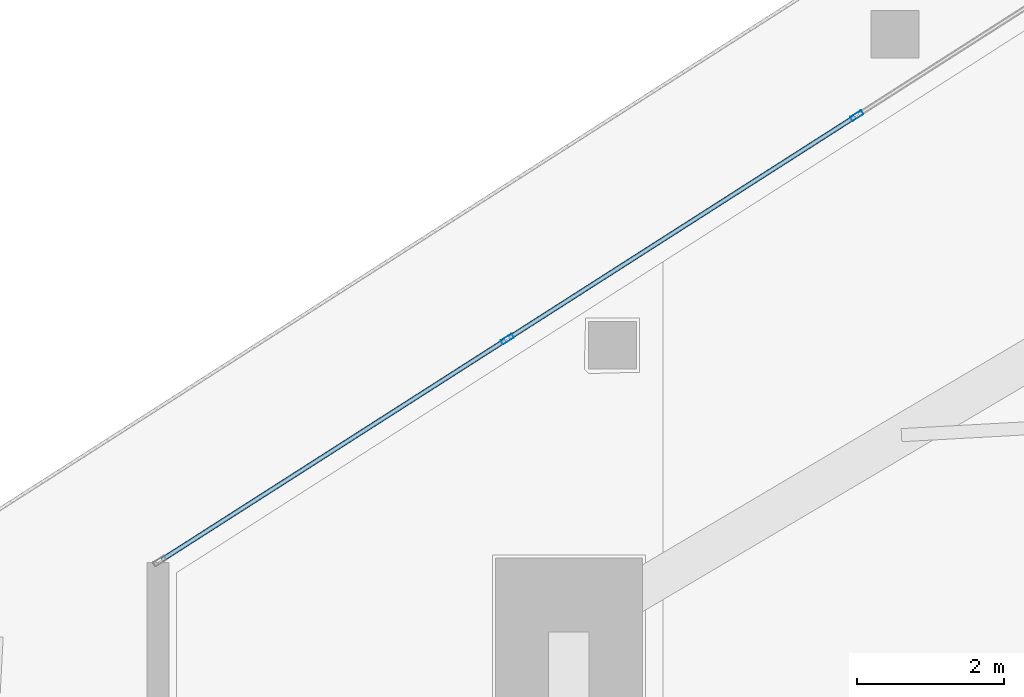
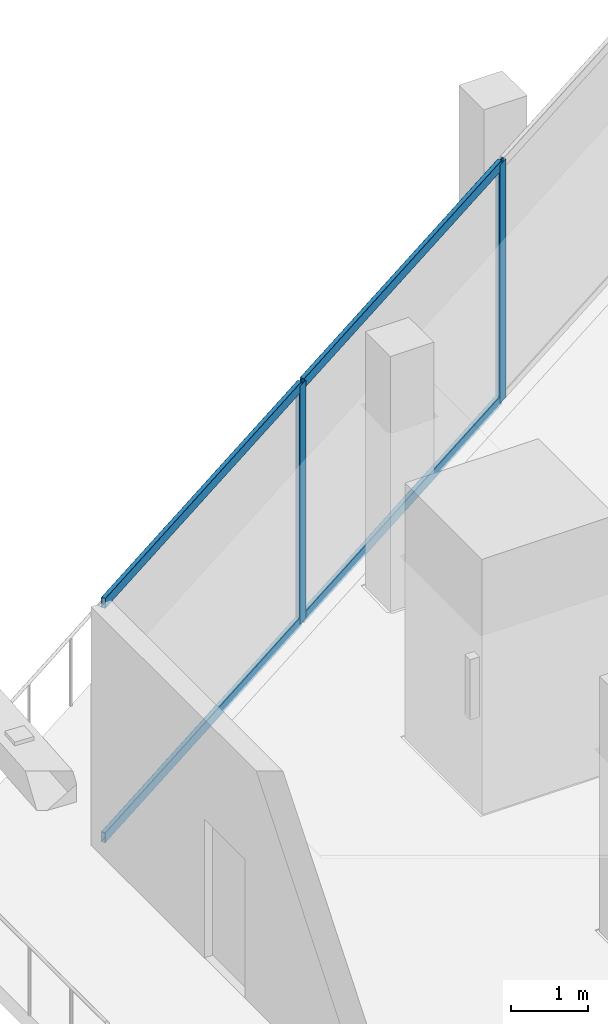
# One storey, part 15 of 36: 6 members, 1 element without a shape of its own.
"""IFC4 building model written with IfcOpenShell, lengths in metres."""

from ifc_helpers import new_model, si_unit, direction, frame, origin, origin_2d, place, context, subcontext, project, spatial, hollow_rectangle, extrude, material, layer, layer_set, material_profile, profile_set, type_object, element, aggregate, save


model = new_model("IFC4")

# Units and contexts
model_context = context("Model", 3, precision=1e-05, world=origin(), true_north=direction((0.0, 1.0)))
body_context = subcontext(model_context, "Body", "Model", "MODEL_VIEW")
ifc_project = project(units=[si_unit("LENGTHUNIT", "METRE"), si_unit("AREAUNIT", "SQUARE_METRE"), si_unit("VOLUMEUNIT", "CUBIC_METRE"), si_unit("PLANEANGLEUNIT", "RADIAN"), si_unit("MASSUNIT", "GRAM", prefix="KILO")], contexts=[model_context])

# Site, building, storey
site_placement = place(None, origin())
site = spatial("IfcSite", under=ifc_project, at=site_placement, CompositionType="ELEMENT")
building_placement = place(site_placement, origin())
building = spatial("IfcBuilding", under=site, at=building_placement, Name="Qorvath Tower", CompositionType="ELEMENT")
storey_placement = place(building_placement, frame((0.0, 0.0, 192.89990234375)))
storey = spatial("IfcBuildingStorey", under=building, at=storey_placement, Name="L44", CompositionType="ELEMENT", Elevation=192.89990234375)

# Curtain wall, members
ifc_material_1 = material(Name="Anodised aluminium and triple low-E glass", Category="aluminium")
ifc_layer = layer(ifc_material_1, 0.179931640625)
ifc_layer_set = layer_set([ifc_layer], Name="CW-SYS-3")
curtain_wall_type = type_object("IfcCurtainWallType", Name="CW-SYS-3", PredefinedType="NOTDEFINED", material=ifc_layer_set)
curtain_wall_placement = place(storey_placement, origin())
curtain_wall = element("IfcCurtainWall", 1, at=curtain_wall_placement, inside=storey, type_object=curtain_wall_type, Name="Curtain Wall CW-3 CW-T-L44-16.1", PredefinedType="NOTDEFINED")
ifc_material_2 = material(Name="Anodised aluminium 6063-T6", Category="aluminium")
ifc_material_profile_1 = material_profile(ifc_material_2, hollow_rectangle(XDim=0.06494140625, YDim=0.179931640625, WallThickness=0.00341796875, InnerFilletRadius=0.00341796875, OuterFilletRadius=0.007080078125, at=origin_2d()), Name="CWM 180x65")
ifc_profile_set_1 = profile_set([ifc_material_profile_1], Name="Anodised aluminium 6063-T6")
member_type_1 = type_object("IfcMemberType", Name="CWM-180", PredefinedType="MULLION", material=ifc_profile_set_1)
member_1_placement = place(storey_placement, frame((-45.2578125, 9.54638671875, 0.0), z_axis=(0.0, 0.0, 1.0), x_axis=(0.538533623725, -0.842604020948, 0.0)))
member_1 = element("IfcMember", 2, at=member_1_placement, type_object=member_type_1, Name="CW-3 mullion 7", PredefinedType="MULLION", context=body_context, shape_type="SweptSolid", body=[
    extrude(hollow_rectangle(XDim=0.06494140625, YDim=0.179931640625, WallThickness=0.00341796875, InnerFilletRadius=0.00341796875, OuterFilletRadius=0.007080078125, at=origin_2d()), origin(), (0.0, 0.0, 1.0), 3.780029296875),
])
member_2_placement = place(storey_placement, frame((-50.01025390625, 6.5087890625, 0.0), z_axis=(0.0, 0.0, 1.0), x_axis=(0.538533623725, -0.842604020948, 0.0)))
member_2 = element("IfcMember", 3, at=member_2_placement, type_object=member_type_1, Name="CW-3 mullion 8", PredefinedType="MULLION", context=body_context, shape_type="SweptSolid", body=[
    extrude(hollow_rectangle(XDim=0.06494140625, YDim=0.179931640625, WallThickness=0.00341796875, InnerFilletRadius=0.00341796875, OuterFilletRadius=0.007080078125, at=origin_2d()), origin(), (0.0, 0.0, 1.0), 3.780029296875),
])
ifc_material_3 = material(Name="Anodised aluminium 6063-T6", Category="aluminium")
ifc_material_profile_2 = material_profile(ifc_material_3, hollow_rectangle(XDim=0.06494140625, YDim=0.159912109375, WallThickness=0.00341796875, InnerFilletRadius=0.00341796875, OuterFilletRadius=0.007080078125, at=origin_2d()), Name="CWT 160x65")
ifc_profile_set_2 = profile_set([ifc_material_profile_2], Name="Anodised aluminium 6063-T6")
member_type_2 = type_object("IfcMemberType", Name="CWT-160", PredefinedType="USERDEFINED", material=ifc_profile_set_2)
member_3_placement = place(storey_placement, frame((-45.28515625, 9.52880859375, 0.032470703125), z_axis=(-0.842606844645, -0.538529205667, 0.0), x_axis=(0.538529205667, -0.842606844645, 0.0)))
member_3 = element("IfcMember", 4, at=member_3_placement, type_object=member_type_2, Name="CW-3 transom 7.1", ObjectType="TRANSOM", PredefinedType="USERDEFINED", context=body_context, shape_type="SweptSolid", body=[
    extrude(hollow_rectangle(XDim=0.06494140625, YDim=0.159912109375, WallThickness=0.00341796875, InnerFilletRadius=0.00341796875, OuterFilletRadius=0.007080078125, at=origin_2d()), origin(), (0.0, 0.0, 1.0), 5.5751953125),
])
member_4_placement = place(storey_placement, frame((-45.28515625, 9.52880859375, 3.74755859375), z_axis=(-0.842606844645, -0.538529205667, 0.0), x_axis=(0.538529205667, -0.842606844645, 0.0)))
member_4 = element("IfcMember", 5, at=member_4_placement, type_object=member_type_2, Name="CW-3 transom 7.2", ObjectType="TRANSOM", PredefinedType="USERDEFINED", context=body_context, shape_type="SweptSolid", body=[
    extrude(hollow_rectangle(XDim=0.06494140625, YDim=0.159912109375, WallThickness=0.00341796875, InnerFilletRadius=0.00341796875, OuterFilletRadius=0.007080078125, at=origin_2d()), origin(), (0.0, 0.0, 1.0), 5.5751953125),
])
member_5_placement = place(storey_placement, frame((-50.03759765625, 6.491455078125, 0.032470703125), z_axis=(-0.842595217297, -0.538547397903, 0.0), x_axis=(0.538547397903, -0.842595217297, 0.0)))
member_5 = element("IfcMember", 6, at=member_5_placement, type_object=member_type_2, Name="CW-3 transom 8.1", ObjectType="TRANSOM", PredefinedType="USERDEFINED", context=body_context, shape_type="SweptSolid", body=[
    extrude(hollow_rectangle(XDim=0.06494140625, YDim=0.159912109375, WallThickness=0.00341796875, InnerFilletRadius=0.00341796875, OuterFilletRadius=0.007080078125, at=origin_2d()), origin(), (0.0, 0.0, 1.0), 5.54296875),
])
member_6_placement = place(storey_placement, frame((-50.03759765625, 6.491455078125, 3.74755859375), z_axis=(-0.842595217297, -0.538547397903, 0.0), x_axis=(0.538547397903, -0.842595217297, 0.0)))
member_6 = element("IfcMember", 7, at=member_6_placement, type_object=member_type_2, Name="CW-3 transom 8.2", ObjectType="TRANSOM", PredefinedType="USERDEFINED", context=body_context, shape_type="SweptSolid", body=[
    extrude(hollow_rectangle(XDim=0.06494140625, YDim=0.159912109375, WallThickness=0.00341796875, InnerFilletRadius=0.00341796875, OuterFilletRadius=0.007080078125, at=origin_2d()), origin(), (0.0, 0.0, 1.0), 5.54296875),
])
aggregate(curtain_wall, [member_1, member_2, member_3, member_4, member_5, member_6])

save(model, "model.ifc")
